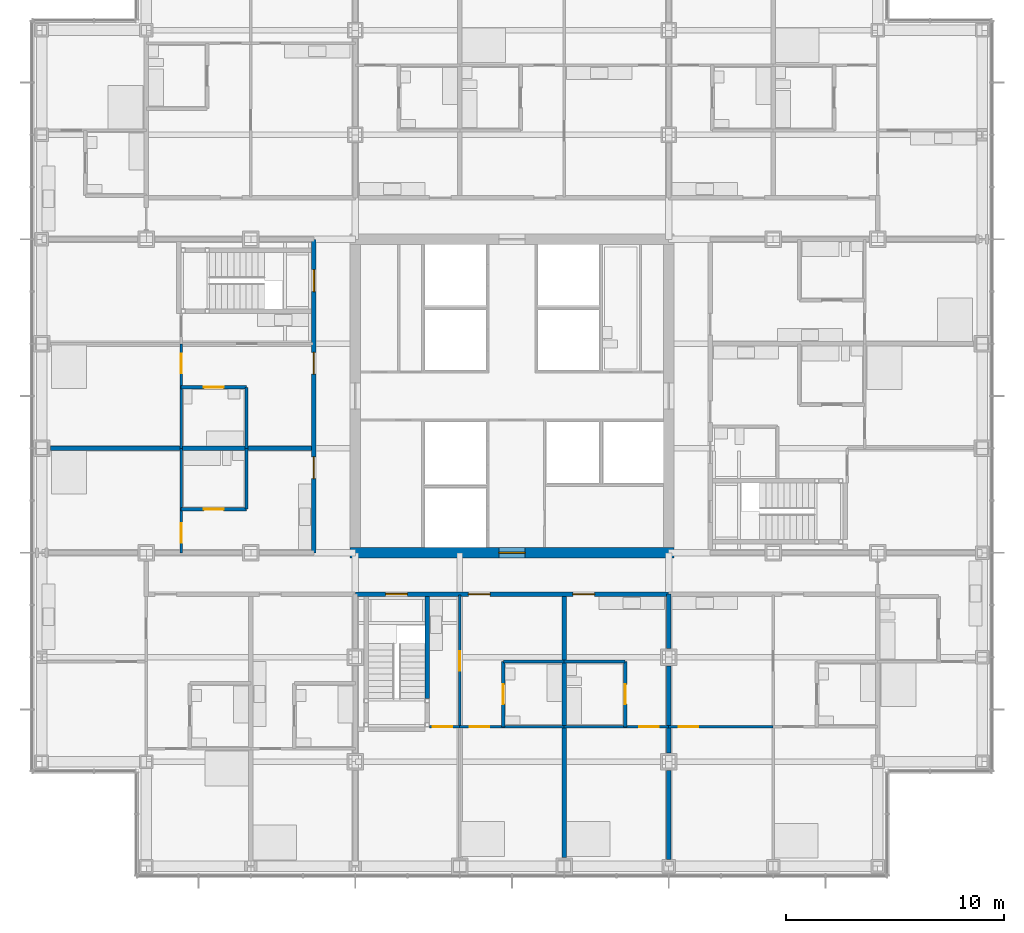
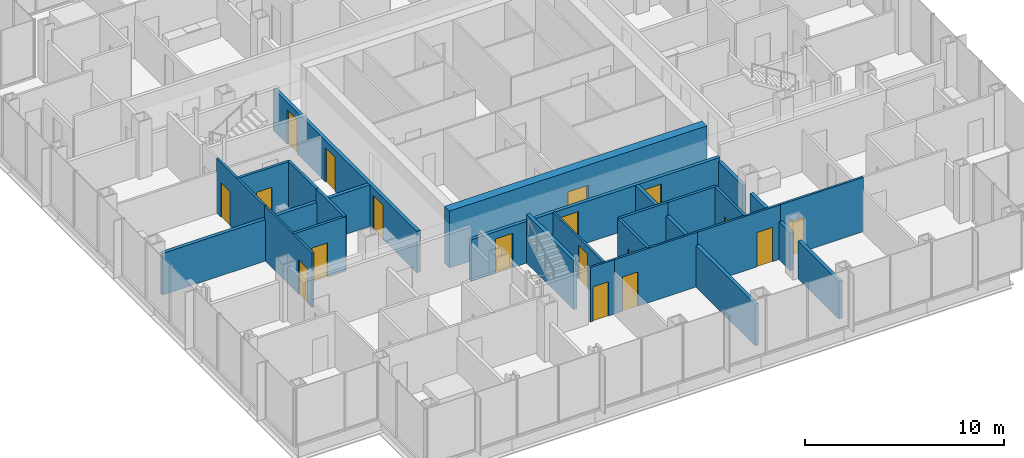
# One storey, part 14 of 21: 24 walls, 18 doors, 18 openings.
"""IFC4 building model written with IfcOpenShell, lengths in metres."""

from ifc_helpers import new_model, si_unit, direction, frame, frame_2d, origin, place, context, subcontext, project, spatial, rectangle, extrude, material, layer, layer_set, type_object, element, fill, save


model = new_model("IFC4")

# Units and contexts
model_context = context("Model", 3, precision=1e-05, world=origin(), true_north=direction((0.0, 1.0)))
body_context = subcontext(model_context, "Body", "Model", "MODEL_VIEW")
ifc_project = project(units=[si_unit("LENGTHUNIT", "METRE"), si_unit("AREAUNIT", "SQUARE_METRE"), si_unit("VOLUMEUNIT", "CUBIC_METRE"), si_unit("PLANEANGLEUNIT", "RADIAN"), si_unit("MASSUNIT", "GRAM", prefix="KILO")], contexts=[model_context])

# Site, building, storey
site_placement = place(None, origin())
site = spatial("IfcSite", under=ifc_project, at=site_placement, CompositionType="ELEMENT")
building_placement = place(site_placement, origin())
building = spatial("IfcBuilding", under=site, at=building_placement, Name="Kvirike Care Tower", CompositionType="ELEMENT")
storey_placement = place(building_placement, frame((0.0, 0.0, 27.0)))
storey = spatial("IfcBuildingStorey", under=building, at=storey_placement, Name="L06", CompositionType="ELEMENT", Elevation=27.0)

# Wall, opening, door
ifc_material_1 = material(Name="Moisture-resistant board partition", Category="gypsum")
ifc_layer_1 = layer(ifc_material_1, 0.14990234375)
ifc_layer_set_1 = layer_set([ifc_layer_1], Name="BATHROOM WALL 150")
wall_type_1 = type_object("IfcWallType", Name="BATHROOM WALL 150", PredefinedType="PARTITIONING", material=ifc_layer_set_1)
wall_1_placement = place(storey_placement, frame((6.39990234375, 36.39990234375, 0.0), z_axis=(0.0, 0.0, 1.0), x_axis=(1.0, 0.0, 0.0)))
wall_1 = element("IfcWall", 1, at=wall_1_placement, inside=storey, type_object=wall_type_1, Name="Bathroom Wall 150 L06", PredefinedType="PARTITIONING", context=body_context, shape_type="SweptSolid", body=[
    extrude(rectangle(XDim=3.0, YDim=0.14990234375, at=frame_2d((1.5, 0.0))), origin(), (0.0, 0.0, 1.0), 3.330078125),
])
opening_1_placement = place(wall_1_placement, frame((1.050048828125, 0.0, 0.0)))
opening_1 = element("IfcOpeningElement", 2, at=opening_1_placement, cuts=wall_1, Name="Opening 06-009", PredefinedType="OPENING", context=body_context, shape_type="SweptSolid", body=[
    extrude(rectangle(XDim=0.89990234375, YDim=2.10009765625, at=frame_2d((0.449951171875, 1.050048828125))), frame((0.0, 0.08544921875, 0.0), z_axis=(0.0, -1.0, 0.0), x_axis=(1.0, 0.0, 0.0)), (0.0, 0.0, 1.0), 0.1708984375),
])
ifc_material_2 = material(Name="Timber door set", Category="wood")
door_type_1 = type_object("IfcDoorType", Name="BATHROOM DOOR 900", OperationType="SINGLE_SWING_RIGHT", PredefinedType="DOOR", material=ifc_material_2)
door_1_placement = place(opening_1_placement, frame((0.89990234375, 0.0, 0.0), z_axis=(0.0, 0.0, 1.0), x_axis=(-1.0, 0.0, 0.0)))
door_1 = element("IfcDoor", 3, at=door_1_placement, inside=storey, type_object=door_type_1, Name="Bathroom door", OperationType="SINGLE_SWING_RIGHT", OverallHeight=2.10009765625, OverallWidth=0.89990234375, PredefinedType="DOOR", context=body_context, shape_type="SweptSolid", body=[
    extrude(rectangle(XDim=0.89990234375, YDim=2.10009765625, at=frame_2d((0.449951171875, 1.050048828125))), frame((0.0, 0.02197265625, 0.0), z_axis=(0.0, -1.0, 0.0), x_axis=(1.0, 0.0, 0.0)), (0.0, 0.0, 1.0), 0.0439453125),
])
fill(opening_1, door_1)

# Wall
wall_2_placement = place(storey_placement, frame((9.39990234375, 36.39990234375, 0.0), z_axis=(0.0, 0.0, 1.0), x_axis=(0.0, -1.0, 0.0)))
element("IfcWall", 4, at=wall_2_placement, inside=storey, type_object=wall_type_1, Name="Bathroom Wall 150 L06", PredefinedType="PARTITIONING", context=body_context, shape_type="SweptSolid", body=[
    extrude(rectangle(XDim=2.7998046875, YDim=0.14990234375, at=frame_2d((1.39990234375, 0.0))), origin(), (0.0, 0.0, 1.0), 3.330078125),
])

# Wall, opening, door
wall_3_placement = place(storey_placement, frame((6.39990234375, 30.800048828125, 0.0), z_axis=(0.0, 0.0, 1.0), x_axis=(1.0, 0.0, 0.0)))
wall_3 = element("IfcWall", 5, at=wall_3_placement, inside=storey, type_object=wall_type_1, Name="Bathroom Wall 150 L06", PredefinedType="PARTITIONING", context=body_context, shape_type="SweptSolid", body=[
    extrude(rectangle(XDim=3.0, YDim=0.14990234375, at=frame_2d((1.5, 0.0))), origin(), (0.0, 0.0, 1.0), 3.330078125),
])
opening_2_placement = place(wall_3_placement, frame((1.050048828125, 0.0, 0.0)))
opening_2 = element("IfcOpeningElement", 6, at=opening_2_placement, cuts=wall_3, Name="Opening 06-013", PredefinedType="OPENING", context=body_context, shape_type="SweptSolid", body=[
    extrude(rectangle(XDim=0.89990234375, YDim=2.10009765625, at=frame_2d((0.449951171875, 1.050048828125))), frame((0.0, 0.08544921875, 0.0), z_axis=(0.0, -1.0, 0.0), x_axis=(1.0, 0.0, 0.0)), (0.0, 0.0, 1.0), 0.1708984375),
])
door_2_placement = place(opening_2_placement, origin())
door_2 = element("IfcDoor", 7, at=door_2_placement, inside=storey, type_object=door_type_1, Name="Bathroom door", OperationType="SINGLE_SWING_LEFT", OverallHeight=2.10009765625, OverallWidth=0.89990234375, PredefinedType="DOOR", context=body_context, shape_type="SweptSolid", body=[
    extrude(rectangle(XDim=0.89990234375, YDim=2.10009765625, at=frame_2d((0.449951171875, 1.050048828125))), frame((0.0, 0.02197265625, 0.0), z_axis=(0.0, -1.0, 0.0), x_axis=(1.0, 0.0, 0.0)), (0.0, 0.0, 1.0), 0.0439453125),
])
fill(opening_2, door_2)

# Wall
wall_4_placement = place(storey_placement, frame((9.39990234375, 33.60009765625, 0.0), z_axis=(0.0, 0.0, 1.0), x_axis=(0.0, -1.0, 0.0)))
element("IfcWall", 8, at=wall_4_placement, inside=storey, type_object=wall_type_1, Name="Bathroom Wall 150 L06", PredefinedType="PARTITIONING", context=body_context, shape_type="SweptSolid", body=[
    extrude(rectangle(XDim=2.800048828125, YDim=0.14990234375, at=frame_2d((1.39990234375, 0.0))), origin(), (0.0, 0.0, 1.0), 3.330078125),
])

# Wall, opening, door
wall_5_placement = place(storey_placement, frame((21.199951171875, 20.800048828125, 0.0), z_axis=(0.0, 0.0, 1.0), x_axis=(0.0, 1.0, 0.0)))
wall_5 = element("IfcWall", 9, at=wall_5_placement, inside=storey, type_object=wall_type_1, Name="Bathroom Wall 150 L06", PredefinedType="PARTITIONING", context=body_context, shape_type="SweptSolid", body=[
    extrude(rectangle(XDim=3.0, YDim=0.14990234375, at=frame_2d((1.5, 0.0))), origin(), (0.0, 0.0, 1.0), 3.330078125),
])
opening_3_placement = place(wall_5_placement, frame((1.050048828125, 0.0, 0.0)))
opening_3 = element("IfcOpeningElement", 10, at=opening_3_placement, cuts=wall_5, Name="Opening 06-026", PredefinedType="OPENING", context=body_context, shape_type="SweptSolid", body=[
    extrude(rectangle(XDim=0.89990234375, YDim=2.10009765625, at=frame_2d((0.449951171875, 1.050048828125))), frame((0.0, 0.08544921875, 0.0), z_axis=(0.0, -1.0, 0.0), x_axis=(1.0, 0.0, 0.0)), (0.0, 0.0, 1.0), 0.1708984375),
])
door_3_placement = place(opening_3_placement, frame((0.89990234375, 0.0, 0.0), z_axis=(0.0, 0.0, 1.0), x_axis=(-1.0, 0.0, 0.0)))
door_3 = element("IfcDoor", 11, at=door_3_placement, inside=storey, type_object=door_type_1, Name="Bathroom door", OperationType="SINGLE_SWING_LEFT", OverallHeight=2.10009765625, OverallWidth=0.89990234375, PredefinedType="DOOR", context=body_context, shape_type="SweptSolid", body=[
    extrude(rectangle(XDim=0.89990234375, YDim=2.10009765625, at=frame_2d((0.449951171875, 1.050048828125))), frame((0.0, 0.02197265625, 0.0), z_axis=(0.0, -1.0, 0.0), x_axis=(1.0, 0.0, 0.0)), (0.0, 0.0, 1.0), 0.0439453125),
])
fill(opening_3, door_3)

# Wall
wall_6_placement = place(storey_placement, frame((21.199951171875, 23.800048828125, 0.0), z_axis=(0.0, 0.0, 1.0), x_axis=(1.0, 0.0, 0.0)))
element("IfcWall", 12, at=wall_6_placement, inside=storey, type_object=wall_type_1, Name="Bathroom Wall 150 L06", PredefinedType="PARTITIONING", context=body_context, shape_type="SweptSolid", body=[
    extrude(rectangle(XDim=2.800048828125, YDim=0.14990234375, at=frame_2d((1.39990234375, 0.0))), origin(), (0.0, 0.0, 1.0), 3.330078125),
])

# Wall, opening, door
wall_7_placement = place(storey_placement, frame((26.800048828125, 20.800048828125, 0.0), z_axis=(0.0, 0.0, 1.0), x_axis=(0.0, 1.0, 0.0)))
wall_7 = element("IfcWall", 13, at=wall_7_placement, inside=storey, type_object=wall_type_1, Name="Bathroom Wall 150 L06", PredefinedType="PARTITIONING", context=body_context, shape_type="SweptSolid", body=[
    extrude(rectangle(XDim=3.0, YDim=0.14990234375, at=frame_2d((1.5, 0.0))), origin(), (0.0, 0.0, 1.0), 3.330078125),
])
opening_4_placement = place(wall_7_placement, frame((1.050048828125, 0.0, 0.0)))
opening_4 = element("IfcOpeningElement", 14, at=opening_4_placement, cuts=wall_7, Name="Opening 06-030", PredefinedType="OPENING", context=body_context, shape_type="SweptSolid", body=[
    extrude(rectangle(XDim=0.89990234375, YDim=2.10009765625, at=frame_2d((0.449951171875, 1.050048828125))), frame((0.0, 0.08544921875, 0.0), z_axis=(0.0, -1.0, 0.0), x_axis=(1.0, 0.0, 0.0)), (0.0, 0.0, 1.0), 0.1708984375),
])
door_4_placement = place(opening_4_placement, origin())
door_4 = element("IfcDoor", 15, at=door_4_placement, inside=storey, type_object=door_type_1, Name="Bathroom door", OperationType="SINGLE_SWING_RIGHT", OverallHeight=2.10009765625, OverallWidth=0.89990234375, PredefinedType="DOOR", context=body_context, shape_type="SweptSolid", body=[
    extrude(rectangle(XDim=0.89990234375, YDim=2.10009765625, at=frame_2d((0.449951171875, 1.050048828125))), frame((0.0, 0.02197265625, 0.0), z_axis=(0.0, -1.0, 0.0), x_axis=(1.0, 0.0, 0.0)), (0.0, 0.0, 1.0), 0.0439453125),
])
fill(opening_4, door_4)

# Wall
wall_8_placement = place(storey_placement, frame((24.0, 23.800048828125, 0.0), z_axis=(0.0, 0.0, 1.0), x_axis=(1.0, 0.0, 0.0)))
element("IfcWall", 16, at=wall_8_placement, inside=storey, type_object=wall_type_1, Name="Bathroom Wall 150 L06", PredefinedType="PARTITIONING", context=body_context, shape_type="SweptSolid", body=[
    extrude(rectangle(XDim=2.800048828125, YDim=0.14990234375, at=frame_2d((1.39990234375, 0.0))), origin(), (0.0, 0.0, 1.0), 3.330078125),
])

# Wall, opening, door
ifc_material_3 = material(Name="Concrete C60/75", Category="concrete")
ifc_layer_2 = layer(ifc_material_3, 0.5)
ifc_layer_set_2 = layer_set([ifc_layer_2], Name="CORE WALL 500 C60-75")
wall_type_2 = type_object("IfcWallType", Name="CORE WALL 500 C60-75", PredefinedType="SHEAR", material=ifc_layer_set_2)
wall_9_placement = place(storey_placement, frame((14.14990234375, 28.800048828125, -0.169921875), z_axis=(0.0, 0.0, 1.0), x_axis=(1.0, 0.0, 0.0)))
wall_9 = element("IfcWall", 17, at=wall_9_placement, inside=storey, type_object=wall_type_2, Name="Core wall S L06", PredefinedType="SHEAR", context=body_context, shape_type="SweptSolid", body=[
    extrude(rectangle(XDim=14.900146484375, YDim=0.5, at=frame_2d((7.4501953125, 0.0))), origin(), (0.0, 0.0, 1.0), 3.5),
])
opening_5_placement = place(wall_9_placement, frame((6.85009765625, 0.0, 0.169921875)))
opening_5 = element("IfcOpeningElement", 18, at=opening_5_placement, cuts=wall_9, Name="Opening 06-079", PredefinedType="OPENING", context=body_context, shape_type="SweptSolid", body=[
    extrude(rectangle(XDim=1.199951171875, YDim=2.10009765625, at=frame_2d((0.60009765625, 1.050048828125))), frame((0.0, 0.260498046875, 0.0), z_axis=(0.0, -1.0, 0.0), x_axis=(1.0, 0.0, 0.0)), (0.0, 0.0, 1.0), 0.52099609375),
])
ifc_material_4 = material(Name="Timber door set", Category="wood")
door_type_2 = type_object("IfcDoorType", Name="CORE DOOR 1200", OperationType="SINGLE_SWING_LEFT", PredefinedType="DOOR", material=ifc_material_4)
door_5_placement = place(opening_5_placement, origin())
door_5 = element("IfcDoor", 19, at=door_5_placement, inside=storey, type_object=door_type_2, Name="Core door S L06", OperationType="SINGLE_SWING_LEFT", OverallHeight=2.10009765625, OverallWidth=1.199951171875, PredefinedType="DOOR", context=body_context, shape_type="SweptSolid", body=[
    extrude(rectangle(XDim=1.199951171875, YDim=2.10009765625, at=frame_2d((0.60009765625, 1.050048828125))), frame((0.0, 0.02685546875, 0.0), z_axis=(0.0, -1.0, 0.0), x_axis=(1.0, 0.0, 0.0)), (0.0, 0.0, 1.0), 0.053955078125),
])
fill(opening_5, door_5)

# Wall, openings, doors
ifc_material_5 = material(Name="Plasterboard corridor wall", Category="gypsum")
ifc_layer_3 = layer(ifc_material_5, 0.199951171875)
ifc_layer_set_3 = layer_set([ifc_layer_3], Name="CORRIDOR WALL 200")
wall_type_3 = type_object("IfcWallType", Name="CORRIDOR WALL 200", PredefinedType="PARTITIONING", material=ifc_layer_set_3)
wall_10_placement = place(storey_placement, frame((12.5, 43.199951171875, 0.0), z_axis=(0.0, 0.0, 1.0), x_axis=(0.0, -1.0, 0.0)))
wall_10 = element("IfcWall", 20, at=wall_10_placement, inside=storey, type_object=wall_type_3, Name="Corridor Wall 200 L06", PredefinedType="PARTITIONING", context=body_context, shape_type="SweptSolid", body=[
    extrude(rectangle(XDim=14.39990234375, YDim=0.199951171875, at=frame_2d((7.199951171875, 0.0))), origin(), (0.0, 0.0, 1.0), 2.550048828125),
])
opening_6_placement = place(wall_10_placement, frame((1.39990234375, 0.0, 0.0)))
opening_6 = element("IfcOpeningElement", 21, at=opening_6_placement, cuts=wall_10, Name="Opening 06-015", PredefinedType="OPENING", context=body_context, shape_type="SweptSolid", body=[
    extrude(rectangle(XDim=1.0, YDim=2.10009765625, at=frame_2d((0.5, 1.050048828125))), frame((0.0, 0.110595703125, 0.0), z_axis=(0.0, -1.0, 0.0), x_axis=(1.0, 0.0, 0.0)), (0.0, 0.0, 1.0), 0.220947265625),
])
opening_7_placement = place(wall_10_placement, frame((5.199951171875, 0.0, 0.0)))
opening_7 = element("IfcOpeningElement", 22, at=opening_7_placement, cuts=wall_10, Name="Opening 06-016", PredefinedType="OPENING", context=body_context, shape_type="SweptSolid", body=[
    extrude(rectangle(XDim=1.0, YDim=2.10009765625, at=frame_2d((0.5, 1.050048828125))), frame((0.0, 0.110595703125, 0.0), z_axis=(0.0, -1.0, 0.0), x_axis=(1.0, 0.0, 0.0)), (0.0, 0.0, 1.0), 0.220947265625),
])
opening_8_placement = place(wall_10_placement, frame((10.0, 0.0, 0.0)))
opening_8 = element("IfcOpeningElement", 23, at=opening_8_placement, cuts=wall_10, Name="Opening 06-017", PredefinedType="OPENING", context=body_context, shape_type="SweptSolid", body=[
    extrude(rectangle(XDim=1.0, YDim=2.10009765625, at=frame_2d((0.5, 1.050048828125))), frame((0.0, 0.110595703125, 0.0), z_axis=(0.0, -1.0, 0.0), x_axis=(1.0, 0.0, 0.0)), (0.0, 0.0, 1.0), 0.220947265625),
])
ifc_material_6 = material(Name="Timber door set", Category="wood")
door_type_3 = type_object("IfcDoorType", Name="FLAT ENTRANCE DOOR 1000", OperationType="SINGLE_SWING_LEFT", PredefinedType="DOOR", material=ifc_material_6)
door_6_placement = place(opening_7_placement, frame((1.0, 0.0, 0.0), z_axis=(0.0, 0.0, 1.0), x_axis=(-1.0, 0.0, 0.0)))
door_6 = element("IfcDoor", 24, at=door_6_placement, inside=storey, type_object=door_type_3, Name="One-bedroom apartment entrance", OperationType="SINGLE_SWING_LEFT", OverallHeight=2.10009765625, OverallWidth=1.0, PredefinedType="DOOR", context=body_context, shape_type="SweptSolid", body=[
    extrude(rectangle(XDim=1.0, YDim=2.10009765625, at=frame_2d((0.5, 1.050048828125))), frame((0.0, 0.02685546875, 0.0), z_axis=(0.0, -1.0, 0.0), x_axis=(1.0, 0.0, 0.0)), (0.0, 0.0, 1.0), 0.053955078125),
])
fill(opening_7, door_6)
door_7_placement = place(opening_8_placement, frame((1.0, 0.0, 0.0), z_axis=(0.0, 0.0, 1.0), x_axis=(-1.0, 0.0, 0.0)))
door_7 = element("IfcDoor", 25, at=door_7_placement, inside=storey, type_object=door_type_3, Name="Studio apartment entrance", OperationType="SINGLE_SWING_LEFT", OverallHeight=2.10009765625, OverallWidth=1.0, PredefinedType="DOOR", context=body_context, shape_type="SweptSolid", body=[
    extrude(rectangle(XDim=1.0, YDim=2.10009765625, at=frame_2d((0.5, 1.050048828125))), frame((0.0, 0.02685546875, 0.0), z_axis=(0.0, -1.0, 0.0), x_axis=(1.0, 0.0, 0.0)), (0.0, 0.0, 1.0), 0.053955078125),
])
fill(opening_8, door_7)
ifc_material_7 = material(Name="Timber door set", Category="wood")
door_type_4 = type_object("IfcDoorType", Name="STAIR DOOR 1000", OperationType="SINGLE_SWING_LEFT", PredefinedType="DOOR", material=ifc_material_7)
door_8_placement = place(opening_6_placement, frame((1.0, 0.0, 0.0), z_axis=(0.0, 0.0, 1.0), x_axis=(-1.0, 0.0, 0.0)))
door_8 = element("IfcDoor", 26, at=door_8_placement, inside=storey, type_object=door_type_4, Name="Stair 1 door", OperationType="SINGLE_SWING_RIGHT", OverallHeight=2.10009765625, OverallWidth=1.0, PredefinedType="DOOR", context=body_context, shape_type="SweptSolid", body=[
    extrude(rectangle(XDim=1.0, YDim=2.10009765625, at=frame_2d((0.5, 1.050048828125))), frame((0.0, 0.031982421875, 0.0), z_axis=(0.0, -1.0, 0.0), x_axis=(1.0, 0.0, 0.0)), (0.0, 0.0, 1.0), 0.06396484375),
])
fill(opening_6, door_8)

wall_11_placement = place(storey_placement, frame((14.39990234375, 26.89990234375, 0.0), z_axis=(0.0, 0.0, 1.0), x_axis=(1.0, 0.0, 0.0)))
wall_11 = element("IfcWall", 27, at=wall_11_placement, inside=storey, type_object=wall_type_3, Name="Corridor Wall 200 L06", PredefinedType="PARTITIONING", context=body_context, shape_type="SweptSolid", body=[
    extrude(rectangle(XDim=14.400146484375, YDim=0.199951171875, at=frame_2d((7.2001953125, 0.0))), origin(), (0.0, 0.0, 1.0), 2.550048828125),
])
opening_9_placement = place(wall_11_placement, frame((1.39990234375, 0.0, 0.0)))
opening_9 = element("IfcOpeningElement", 28, at=opening_9_placement, cuts=wall_11, Name="Opening 06-032", PredefinedType="OPENING", context=body_context, shape_type="SweptSolid", body=[
    extrude(rectangle(XDim=1.0, YDim=2.10009765625, at=frame_2d((0.5, 1.050048828125))), frame((0.0, 0.110595703125, 0.0), z_axis=(0.0, -1.0, 0.0), x_axis=(1.0, 0.0, 0.0)), (0.0, 0.0, 1.0), 0.220947265625),
])
opening_10_placement = place(wall_11_placement, frame((5.199951171875, 0.0, 0.0)))
opening_10 = element("IfcOpeningElement", 29, at=opening_10_placement, cuts=wall_11, Name="Opening 06-033", PredefinedType="OPENING", context=body_context, shape_type="SweptSolid", body=[
    extrude(rectangle(XDim=1.0, YDim=2.10009765625, at=frame_2d((0.5, 1.050048828125))), frame((0.0, 0.110595703125, 0.0), z_axis=(0.0, -1.0, 0.0), x_axis=(1.0, 0.0, 0.0)), (0.0, 0.0, 1.0), 0.220947265625),
])
opening_11_placement = place(wall_11_placement, frame((10.0, 0.0, 0.0)))
opening_11 = element("IfcOpeningElement", 30, at=opening_11_placement, cuts=wall_11, Name="Opening 06-034", PredefinedType="OPENING", context=body_context, shape_type="SweptSolid", body=[
    extrude(rectangle(XDim=1.0, YDim=2.10009765625, at=frame_2d((0.5, 1.050048828125))), frame((0.0, 0.110595703125, 0.0), z_axis=(0.0, -1.0, 0.0), x_axis=(1.0, 0.0, 0.0)), (0.0, 0.0, 1.0), 0.220947265625),
])
door_9_placement = place(opening_10_placement, frame((1.0, 0.0, 0.0), z_axis=(0.0, 0.0, 1.0), x_axis=(-1.0, 0.0, 0.0)))
door_9 = element("IfcDoor", 31, at=door_9_placement, inside=storey, type_object=door_type_3, Name="One-bedroom apartment entrance", OperationType="SINGLE_SWING_LEFT", OverallHeight=2.10009765625, OverallWidth=1.0, PredefinedType="DOOR", context=body_context, shape_type="SweptSolid", body=[
    extrude(rectangle(XDim=1.0, YDim=2.10009765625, at=frame_2d((0.5, 1.050048828125))), frame((0.0, 0.02685546875, 0.0), z_axis=(0.0, -1.0, 0.0), x_axis=(1.0, 0.0, 0.0)), (0.0, 0.0, 1.0), 0.053955078125),
])
fill(opening_10, door_9)
door_10_placement = place(opening_11_placement, frame((1.0, 0.0, 0.0), z_axis=(0.0, 0.0, 1.0), x_axis=(-1.0, 0.0, 0.0)))
door_10 = element("IfcDoor", 32, at=door_10_placement, inside=storey, type_object=door_type_3, Name="Studio apartment entrance", OperationType="SINGLE_SWING_LEFT", OverallHeight=2.10009765625, OverallWidth=1.0, PredefinedType="DOOR", context=body_context, shape_type="SweptSolid", body=[
    extrude(rectangle(XDim=1.0, YDim=2.10009765625, at=frame_2d((0.5, 1.050048828125))), frame((0.0, 0.02685546875, 0.0), z_axis=(0.0, -1.0, 0.0), x_axis=(1.0, 0.0, 0.0)), (0.0, 0.0, 1.0), 0.053955078125),
])
fill(opening_11, door_10)
door_11_placement = place(opening_9_placement, frame((1.0, 0.0, 0.0), z_axis=(0.0, 0.0, 1.0), x_axis=(-1.0, 0.0, 0.0)))
door_11 = element("IfcDoor", 33, at=door_11_placement, inside=storey, type_object=door_type_4, Name="Stair 5 door", OperationType="SINGLE_SWING_RIGHT", OverallHeight=2.10009765625, OverallWidth=1.0, PredefinedType="DOOR", context=body_context, shape_type="SweptSolid", body=[
    extrude(rectangle(XDim=1.0, YDim=2.10009765625, at=frame_2d((0.5, 1.050048828125))), frame((0.0, 0.031982421875, 0.0), z_axis=(0.0, -1.0, 0.0), x_axis=(1.0, 0.0, 0.0)), (0.0, 0.0, 1.0), 0.06396484375),
])
fill(opening_9, door_11)

# Wall, opening, door
ifc_material_8 = material(Name="Plasterboard partition", Category="gypsum")
ifc_layer_4 = layer(ifc_material_8, 0.1201171875)
ifc_layer_set_4 = layer_set([ifc_layer_4], Name="PARTITION 120")
wall_type_4 = type_object("IfcWallType", Name="PARTITION 120", PredefinedType="PARTITIONING", material=ifc_layer_set_4)
wall_12_placement = place(storey_placement, frame((6.39990234375, 38.39990234375, 0.0), z_axis=(0.0, 0.0, 1.0), x_axis=(0.0, -1.0, 0.0)))
wall_12 = element("IfcWall", 34, at=wall_12_placement, inside=storey, type_object=wall_type_4, Name="Partition 120 L06", PredefinedType="PARTITIONING", context=body_context, shape_type="SweptSolid", body=[
    extrude(rectangle(XDim=4.7998046875, YDim=0.1201171875, at=frame_2d((2.39990234375, 0.0))), origin(), (0.0, 0.0, 1.0), 3.330078125),
])
opening_12_placement = place(wall_12_placement, frame((0.449951171875, 0.0, 0.0)))
opening_12 = element("IfcOpeningElement", 35, at=opening_12_placement, cuts=wall_12, Name="Opening 06-012", PredefinedType="OPENING", context=body_context, shape_type="SweptSolid", body=[
    extrude(rectangle(XDim=0.89990234375, YDim=2.10009765625, at=frame_2d((0.449951171875, 1.050048828125))), frame((0.0, 0.070556640625, 0.0), z_axis=(0.0, -1.0, 0.0), x_axis=(1.0, 0.0, 0.0)), (0.0, 0.0, 1.0), 0.14111328125),
])
ifc_material_9 = material(Name="Timber door set", Category="wood")
door_type_5 = type_object("IfcDoorType", Name="INTERNAL DOOR 900", OperationType="SINGLE_SWING_LEFT", PredefinedType="DOOR", material=ifc_material_9)
door_12_placement = place(opening_12_placement, origin())
door_12 = element("IfcDoor", 36, at=door_12_placement, inside=storey, type_object=door_type_5, Name="Apartment bedroom door", OperationType="SINGLE_SWING_RIGHT", OverallHeight=2.10009765625, OverallWidth=0.89990234375, PredefinedType="DOOR", context=body_context, shape_type="SweptSolid", body=[
    extrude(rectangle(XDim=0.89990234375, YDim=2.10009765625, at=frame_2d((0.449951171875, 1.050048828125))), frame((0.0, 0.02197265625, 0.0), z_axis=(0.0, -1.0, 0.0), x_axis=(1.0, 0.0, 0.0)), (0.0, 0.0, 1.0), 0.0439453125),
])
fill(opening_12, door_12)

wall_13_placement = place(storey_placement, frame((6.39990234375, 33.60009765625, 0.0), z_axis=(0.0, 0.0, 1.0), x_axis=(0.0, -1.0, 0.0)))
wall_13 = element("IfcWall", 37, at=wall_13_placement, inside=storey, type_object=wall_type_4, Name="Partition 120 L06", PredefinedType="PARTITIONING", context=body_context, shape_type="SweptSolid", body=[
    extrude(rectangle(XDim=4.800048828125, YDim=0.1201171875, at=frame_2d((2.39990234375, 0.0))), origin(), (0.0, 0.0, 1.0), 3.330078125),
])
opening_13_placement = place(wall_13_placement, frame((3.449951171875, 0.0, 0.0)))
opening_13 = element("IfcOpeningElement", 38, at=opening_13_placement, cuts=wall_13, Name="Opening 06-014", PredefinedType="OPENING", context=body_context, shape_type="SweptSolid", body=[
    extrude(rectangle(XDim=0.89990234375, YDim=2.10009765625, at=frame_2d((0.449951171875, 1.050048828125))), frame((0.0, 0.070556640625, 0.0), z_axis=(0.0, -1.0, 0.0), x_axis=(1.0, 0.0, 0.0)), (0.0, 0.0, 1.0), 0.14111328125),
])
door_13_placement = place(opening_13_placement, origin())
door_13 = element("IfcDoor", 39, at=door_13_placement, inside=storey, type_object=door_type_5, Name="Studio apartment living room door", OperationType="SINGLE_SWING_LEFT", OverallHeight=2.10009765625, OverallWidth=0.89990234375, PredefinedType="DOOR", context=body_context, shape_type="SweptSolid", body=[
    extrude(rectangle(XDim=0.89990234375, YDim=2.10009765625, at=frame_2d((0.449951171875, 1.050048828125))), frame((0.0, 0.02197265625, 0.0), z_axis=(0.0, -1.0, 0.0), x_axis=(1.0, 0.0, 0.0)), (0.0, 0.0, 1.0), 0.0439453125),
])
fill(opening_13, door_13)

wall_14_placement = place(storey_placement, frame((19.199951171875, 20.800048828125, 0.0), z_axis=(0.0, 0.0, 1.0), x_axis=(0.0, 1.0, 0.0)))
wall_14 = element("IfcWall", 40, at=wall_14_placement, inside=storey, type_object=wall_type_4, Name="Partition 120 L06", PredefinedType="PARTITIONING", context=body_context, shape_type="SweptSolid", body=[
    extrude(rectangle(XDim=6.050048828125, YDim=0.1201171875, at=frame_2d((3.02490234375, 0.0))), origin(), (0.0, 0.0, 1.0), 2.550048828125),
])
opening_14_placement = place(wall_14_placement, frame((2.574951171875, 0.0, 0.0)))
opening_14 = element("IfcOpeningElement", 41, at=opening_14_placement, cuts=wall_14, Name="Opening 06-027", PredefinedType="OPENING", context=body_context, shape_type="SweptSolid", body=[
    extrude(rectangle(XDim=0.89990234375, YDim=2.10009765625, at=frame_2d((0.449951171875, 1.050048828125))), frame((0.0, 0.070556640625, 0.0), z_axis=(0.0, -1.0, 0.0), x_axis=(1.0, 0.0, 0.0)), (0.0, 0.0, 1.0), 0.14111328125),
])
door_14_placement = place(opening_14_placement, origin())
door_14 = element("IfcDoor", 42, at=door_14_placement, inside=storey, type_object=door_type_5, Name="Hall door", OperationType="SINGLE_SWING_LEFT", OverallHeight=2.10009765625, OverallWidth=0.89990234375, PredefinedType="DOOR", context=body_context, shape_type="SweptSolid", body=[
    extrude(rectangle(XDim=0.89990234375, YDim=2.10009765625, at=frame_2d((0.449951171875, 1.050048828125))), frame((0.0, 0.02197265625, 0.0), z_axis=(0.0, -1.0, 0.0), x_axis=(1.0, 0.0, 0.0)), (0.0, 0.0, 1.0), 0.0439453125),
])
fill(opening_14, door_14)

wall_15_placement = place(storey_placement, frame((17.800048828125, 20.800048828125, 0.0), z_axis=(0.0, 0.0, 1.0), x_axis=(1.0, 0.0, 0.0)))
wall_15 = element("IfcWall", 43, at=wall_15_placement, inside=storey, type_object=wall_type_4, Name="Partition 120 L06", PredefinedType="PARTITIONING", context=body_context, shape_type="SweptSolid", body=[
    extrude(rectangle(XDim=1.39990234375, YDim=0.1201171875, at=frame_2d((0.699951171875, 0.0))), origin(), (0.0, 0.0, 1.0), 3.330078125),
])
opening_15_placement = place(wall_15_placement, frame((0.14990234375, 0.0, 0.0)))
opening_15 = element("IfcOpeningElement", 44, at=opening_15_placement, cuts=wall_15, Name="Opening 06-028", PredefinedType="OPENING", context=body_context, shape_type="SweptSolid", body=[
    extrude(rectangle(XDim=0.89990234375, YDim=2.10009765625, at=frame_2d((0.449951171875, 1.050048828125))), frame((0.0, 0.070556640625, 0.0), z_axis=(0.0, -1.0, 0.0), x_axis=(1.0, 0.0, 0.0)), (0.0, 0.0, 1.0), 0.14111328125),
])
door_15_placement = place(opening_15_placement, origin())
door_15 = element("IfcDoor", 45, at=door_15_placement, inside=storey, type_object=door_type_5, Name="Apartment living room door", OperationType="SINGLE_SWING_RIGHT", OverallHeight=2.10009765625, OverallWidth=0.89990234375, PredefinedType="DOOR", context=body_context, shape_type="SweptSolid", body=[
    extrude(rectangle(XDim=0.89990234375, YDim=2.10009765625, at=frame_2d((0.449951171875, 1.050048828125))), frame((0.0, 0.02197265625, 0.0), z_axis=(0.0, -1.0, 0.0), x_axis=(1.0, 0.0, 0.0)), (0.0, 0.0, 1.0), 0.0439453125),
])
fill(opening_15, door_15)

wall_16_placement = place(storey_placement, frame((19.199951171875, 20.800048828125, 0.0), z_axis=(0.0, 0.0, 1.0), x_axis=(1.0, 0.0, 0.0)))
wall_16 = element("IfcWall", 46, at=wall_16_placement, inside=storey, type_object=wall_type_4, Name="Partition 120 L06", PredefinedType="PARTITIONING", context=body_context, shape_type="SweptSolid", body=[
    extrude(rectangle(XDim=4.800048828125, YDim=0.1201171875, at=frame_2d((2.39990234375, 0.0))), origin(), (0.0, 0.0, 1.0), 3.330078125),
])
opening_16_placement = place(wall_16_placement, frame((0.449951171875, 0.0, 0.0)))
opening_16 = element("IfcOpeningElement", 47, at=opening_16_placement, cuts=wall_16, Name="Opening 06-029", PredefinedType="OPENING", context=body_context, shape_type="SweptSolid", body=[
    extrude(rectangle(XDim=0.89990234375, YDim=2.10009765625, at=frame_2d((0.449951171875, 1.050048828125))), frame((0.0, 0.070556640625, 0.0), z_axis=(0.0, -1.0, 0.0), x_axis=(1.0, 0.0, 0.0)), (0.0, 0.0, 1.0), 0.14111328125),
])
door_16_placement = place(opening_16_placement, origin())
door_16 = element("IfcDoor", 48, at=door_16_placement, inside=storey, type_object=door_type_5, Name="Apartment bedroom door", OperationType="SINGLE_SWING_RIGHT", OverallHeight=2.10009765625, OverallWidth=0.89990234375, PredefinedType="DOOR", context=body_context, shape_type="SweptSolid", body=[
    extrude(rectangle(XDim=0.89990234375, YDim=2.10009765625, at=frame_2d((0.449951171875, 1.050048828125))), frame((0.0, 0.02197265625, 0.0), z_axis=(0.0, -1.0, 0.0), x_axis=(1.0, 0.0, 0.0)), (0.0, 0.0, 1.0), 0.0439453125),
])
fill(opening_16, door_16)

wall_17_placement = place(storey_placement, frame((24.0, 20.800048828125, 0.0), z_axis=(0.0, 0.0, 1.0), x_axis=(1.0, 0.0, 0.0)))
wall_17 = element("IfcWall", 49, at=wall_17_placement, inside=storey, type_object=wall_type_4, Name="Partition 120 L06", PredefinedType="PARTITIONING", context=body_context, shape_type="SweptSolid", body=[
    extrude(rectangle(XDim=4.800048828125, YDim=0.1201171875, at=frame_2d((2.39990234375, 0.0))), origin(), (0.0, 0.0, 1.0), 3.330078125),
])
opening_17_placement = place(wall_17_placement, frame((3.449951171875, 0.0, 0.0)))
opening_17 = element("IfcOpeningElement", 50, at=opening_17_placement, cuts=wall_17, Name="Opening 06-031", PredefinedType="OPENING", context=body_context, shape_type="SweptSolid", body=[
    extrude(rectangle(XDim=0.89990234375, YDim=2.10009765625, at=frame_2d((0.449951171875, 1.050048828125))), frame((0.0, 0.070556640625, 0.0), z_axis=(0.0, -1.0, 0.0), x_axis=(1.0, 0.0, 0.0)), (0.0, 0.0, 1.0), 0.14111328125),
])
door_17_placement = place(opening_17_placement, origin())
door_17 = element("IfcDoor", 51, at=door_17_placement, inside=storey, type_object=door_type_5, Name="Studio apartment living room door", OperationType="SINGLE_SWING_LEFT", OverallHeight=2.10009765625, OverallWidth=0.89990234375, PredefinedType="DOOR", context=body_context, shape_type="SweptSolid", body=[
    extrude(rectangle(XDim=0.89990234375, YDim=2.10009765625, at=frame_2d((0.449951171875, 1.050048828125))), frame((0.0, 0.02197265625, 0.0), z_axis=(0.0, -1.0, 0.0), x_axis=(1.0, 0.0, 0.0)), (0.0, 0.0, 1.0), 0.0439453125),
])
fill(opening_17, door_17)

wall_18_placement = place(storey_placement, frame((28.800048828125, 20.800048828125, 0.0), z_axis=(0.0, 0.0, 1.0), x_axis=(1.0, 0.0, 0.0)))
wall_18 = element("IfcWall", 52, at=wall_18_placement, inside=storey, type_object=wall_type_4, Name="Partition 120 L06", PredefinedType="PARTITIONING", context=body_context, shape_type="SweptSolid", body=[
    extrude(rectangle(XDim=4.800048828125, YDim=0.1201171875, at=frame_2d((2.39990234375, 0.0))), origin(), (0.0, 0.0, 1.0), 3.330078125),
])
opening_18_placement = place(wall_18_placement, frame((0.449951171875, 0.0, 0.0)))
opening_18 = element("IfcOpeningElement", 53, at=opening_18_placement, cuts=wall_18, Name="Opening 06-045", PredefinedType="OPENING", context=body_context, shape_type="SweptSolid", body=[
    extrude(rectangle(XDim=0.89990234375, YDim=2.10009765625, at=frame_2d((0.449951171875, 1.050048828125))), frame((0.0, 0.070556640625, 0.0), z_axis=(0.0, -1.0, 0.0), x_axis=(1.0, 0.0, 0.0)), (0.0, 0.0, 1.0), 0.14111328125),
])
door_18_placement = place(opening_18_placement, origin())
door_18 = element("IfcDoor", 54, at=door_18_placement, inside=storey, type_object=door_type_5, Name="Apartment living room door", OperationType="SINGLE_SWING_RIGHT", OverallHeight=2.10009765625, OverallWidth=0.89990234375, PredefinedType="DOOR", context=body_context, shape_type="SweptSolid", body=[
    extrude(rectangle(XDim=0.89990234375, YDim=2.10009765625, at=frame_2d((0.449951171875, 1.050048828125))), frame((0.0, 0.02197265625, 0.0), z_axis=(0.0, -1.0, 0.0), x_axis=(1.0, 0.0, 0.0)), (0.0, 0.0, 1.0), 0.0439453125),
])
fill(opening_18, door_18)

# Walls
ifc_material_10 = material(Name="Plasterboard party wall", Category="gypsum")
ifc_layer_5 = layer(ifc_material_10, 0.199951171875)
ifc_layer_set_5 = layer_set([ifc_layer_5], Name="PARTY WALL 200")
wall_type_5 = type_object("IfcWallType", Name="PARTY WALL 200", PredefinedType="PARTITIONING", material=ifc_layer_set_5)
wall_19_placement = place(storey_placement, frame((0.39501953125, 33.60009765625, 0.0), z_axis=(0.0, 0.0, 1.0), x_axis=(1.0, 0.0, 0.0)))
element("IfcWall", 55, at=wall_19_placement, inside=storey, type_object=wall_type_5, Name="Party Wall 200 L06", PredefinedType="PARTITIONING", context=body_context, shape_type="SweptSolid", body=[
    extrude(rectangle(XDim=12.0048828125, YDim=0.199951171875, at=frame_2d((6.00244140625, 0.0))), origin(), (0.0, 0.0, 1.0), 2.550048828125),
])
wall_20_placement = place(storey_placement, frame((24.0, 14.794921875, 0.0), z_axis=(0.0, 0.0, 1.0), x_axis=(0.0, 1.0, 0.0)))
element("IfcWall", 56, at=wall_20_placement, inside=storey, type_object=wall_type_5, Name="Party Wall 200 L06", PredefinedType="PARTITIONING", context=body_context, shape_type="SweptSolid", body=[
    extrude(rectangle(XDim=12.005126953125, YDim=0.199951171875, at=frame_2d((6.00244140625, 0.0))), origin(), (0.0, 0.0, 1.0), 2.550048828125),
])
wall_21_placement = place(storey_placement, frame((28.800048828125, 14.719970703125, 0.0), z_axis=(0.0, 0.0, 1.0), x_axis=(0.0, 1.0, 0.0)))
element("IfcWall", 57, at=wall_21_placement, inside=storey, type_object=wall_type_5, Name="Party Wall 200 L06", PredefinedType="PARTITIONING", context=body_context, shape_type="SweptSolid", body=[
    extrude(rectangle(XDim=4.0849609375, YDim=0.199951171875, at=frame_2d((2.04248046875, 0.0))), origin(), (0.0, 0.0, 1.0), 2.320068359375),
])
wall_22_placement = place(storey_placement, frame((28.800048828125, 19.594970703125, 0.0), z_axis=(0.0, 0.0, 1.0), x_axis=(0.0, 1.0, 0.0)))
element("IfcWall", 58, at=wall_22_placement, inside=storey, type_object=wall_type_5, Name="Party Wall 200 L06", PredefinedType="PARTITIONING", context=body_context, shape_type="SweptSolid", body=[
    extrude(rectangle(XDim=4.010009765625, YDim=0.199951171875, at=frame_2d((2.0048828125, 0.0))), origin(), (0.0, 0.0, 1.0), 2.320068359375),
])
wall_23_placement = place(storey_placement, frame((28.800048828125, 24.39501953125, 0.0), z_axis=(0.0, 0.0, 1.0), x_axis=(0.0, 1.0, 0.0)))
element("IfcWall", 59, at=wall_23_placement, inside=storey, type_object=wall_type_5, Name="Party Wall 200 L06", PredefinedType="PARTITIONING", context=body_context, shape_type="SweptSolid", body=[
    extrude(rectangle(XDim=2.5048828125, YDim=0.199951171875, at=frame_2d((1.25244140625, 0.0))), origin(), (0.0, 0.0, 1.0), 2.320068359375),
])
ifc_material_11 = material(Name="Concrete C40/50", Category="concrete")
ifc_layer_6 = layer(ifc_material_11, 0.199951171875)
ifc_layer_set_6 = layer_set([ifc_layer_6], Name="STAIR WALL 200")
wall_type_6 = type_object("IfcWallType", Name="STAIR WALL 200", PredefinedType="SOLIDWALL", material=ifc_layer_set_6)
wall_24_placement = place(storey_placement, frame((17.699951171875, 22.10009765625, 0.0), z_axis=(0.0, 0.0, 1.0), x_axis=(0.0, 1.0, 0.0)))
element("IfcWall", 60, at=wall_24_placement, inside=storey, type_object=wall_type_6, Name="Stair Wall 200 L06", PredefinedType="SOLIDWALL", context=body_context, shape_type="SweptSolid", body=[
    extrude(rectangle(XDim=4.699951171875, YDim=0.199951171875, at=frame_2d((2.35009765625, 0.0))), origin(), (0.0, 0.0, 1.0), 2.989990234375),
])

save(model, "model.ifc")
